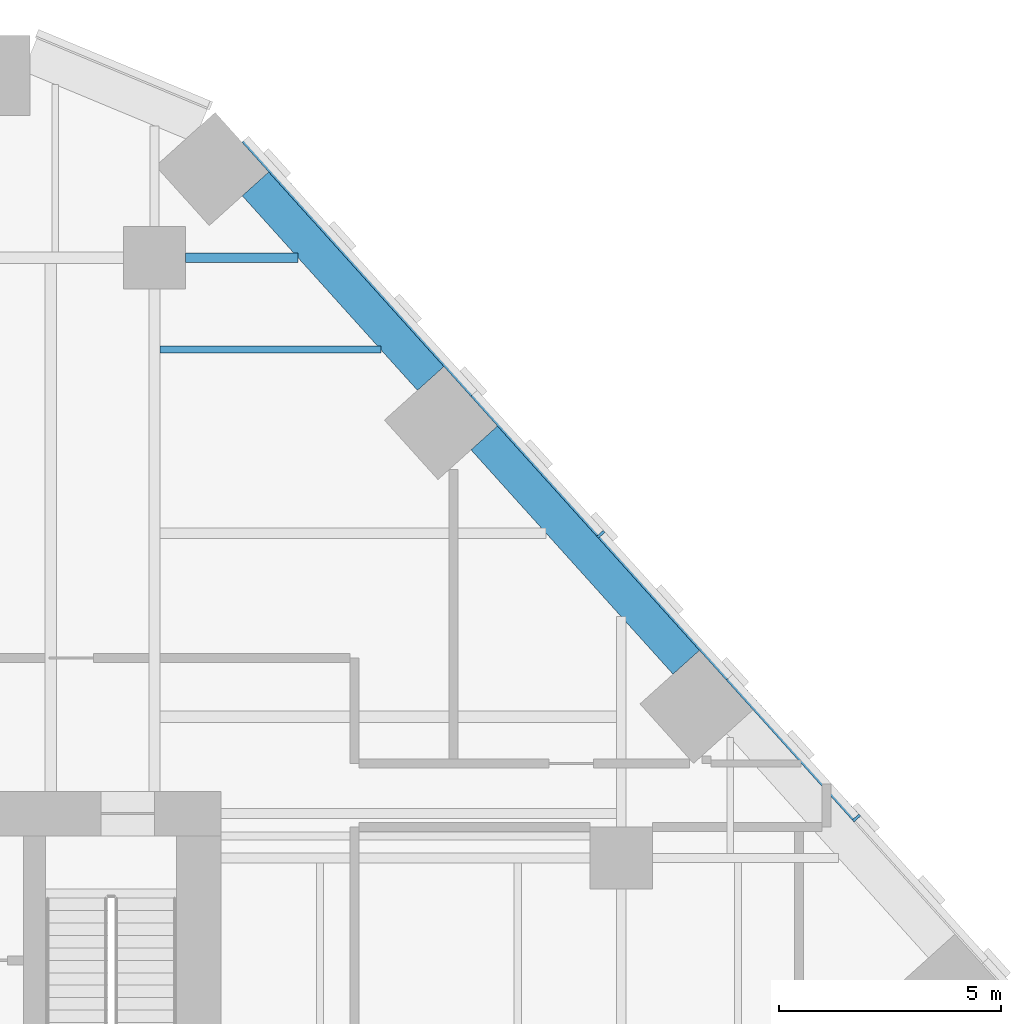
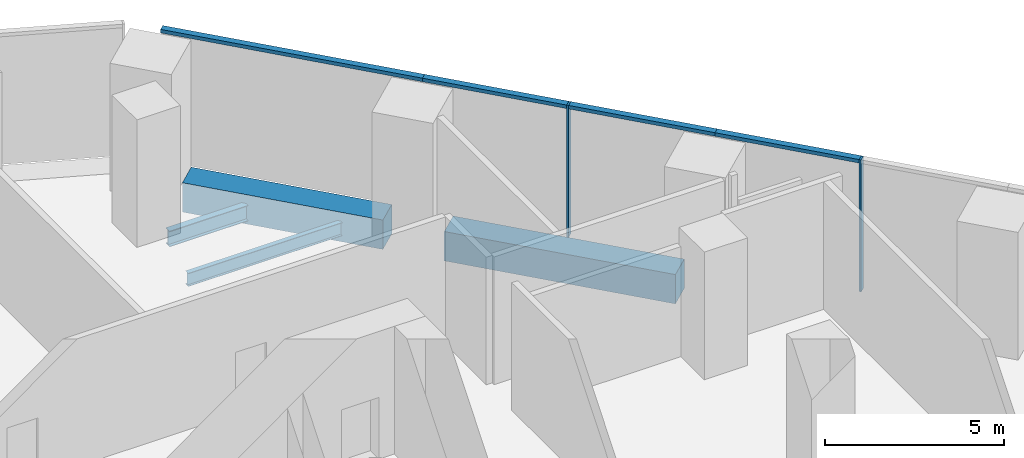
# One storey, part 10 of 19: 6 members, 4 beams, 1 element without a shape of its own.
"""IFC4 building model written with IfcOpenShell, lengths in metres."""

from ifc_helpers import new_model, si_unit, direction, frame, origin, origin_2d, place, context, subcontext, project, spatial, rectangle, i_section, extrude, material, layer, layer_set, material_profile, profile_set, type_object, element, aggregate, save


model = new_model("IFC4")

# Units and contexts
model_context = context("Model", 3, precision=1e-05, world=origin(), true_north=direction((0.0, 1.0)))
body_context = subcontext(model_context, "Body", "Model", "MODEL_VIEW")
ifc_project = project(units=[si_unit("LENGTHUNIT", "METRE"), si_unit("AREAUNIT", "SQUARE_METRE"), si_unit("VOLUMEUNIT", "CUBIC_METRE"), si_unit("PLANEANGLEUNIT", "RADIAN"), si_unit("MASSUNIT", "GRAM", prefix="KILO")], contexts=[model_context])

# Site, building, storey
site_placement = place(None, origin())
site = spatial("IfcSite", under=ifc_project, at=site_placement, CompositionType="ELEMENT")
building_placement = place(site_placement, origin())
building = spatial("IfcBuilding", under=site, at=building_placement, Name="Isthmus Gate Tower", CompositionType="ELEMENT")
storey_placement = place(building_placement, frame((0.0, 0.0, 76.14990234375)))
storey = spatial("IfcBuildingStorey", under=building, at=storey_placement, Name="L17", CompositionType="ELEMENT", Elevation=76.14990234375)

# Curtain wall, members
ifc_material_1 = material(Name="Aluminium, pale champagne anodised", Category="aluminium")
ifc_layer = layer(ifc_material_1, 0.199951171875)
ifc_layer_set = layer_set([ifc_layer], Name="CW-2 LOUVRE CURTAIN WALL 200 DEEP")
curtain_wall_type = type_object("IfcCurtainWallType", Name="CW-2 LOUVRE CURTAIN WALL 200 DEEP", PredefinedType="NOTDEFINED", material=ifc_layer_set)
curtain_wall_placement = place(storey_placement, origin())
curtain_wall = element("IfcCurtainWall", 1, at=curtain_wall_placement, inside=storey, type_object=curtain_wall_type, Name="CW-2 NE L17", PredefinedType="NOTDEFINED")
ifc_material_2 = material(Name="Aluminium, pale champagne anodised", Category="aluminium")
ifc_material_profile_1 = material_profile(ifc_material_2, rectangle(XDim=0.06005859375, YDim=0.199951171875, at=origin_2d()), Name="60x200")
ifc_profile_set_1 = profile_set([ifc_material_profile_1], Name="Aluminium, pale champagne anodised")
member_type_1 = type_object("IfcMemberType", Name="CW-2 MULLION 60 X 200", PredefinedType="MULLION", material=ifc_profile_set_1)
member_1_placement = place(storey_placement, frame((29.287841796875, 14.400146484375, 0.0), z_axis=(0.0, 0.0, 1.0), x_axis=(-0.669130606359, 0.743144825477, 0.0)))
member_1 = element("IfcMember", 2, at=member_1_placement, type_object=member_type_1, Name="CW-2 mullion", PredefinedType="MULLION", context=body_context, shape_type="SweptSolid", body=[
    extrude(rectangle(XDim=0.06005859375, YDim=0.199951171875, at=origin_2d()), origin(), (0.0, 0.0, 1.0), 4.5),
])
member_2_placement = place(storey_placement, frame((23.54052734375, 20.783447265625, 0.0), z_axis=(0.0, 0.0, 1.0), x_axis=(-0.669130606359, 0.743144825477, 0.0)))
member_2 = element("IfcMember", 3, at=member_2_placement, type_object=member_type_1, Name="CW-2 mullion", PredefinedType="MULLION", context=body_context, shape_type="SweptSolid", body=[
    extrude(rectangle(XDim=0.06005859375, YDim=0.199951171875, at=origin_2d()), origin(), (0.0, 0.0, 1.0), 4.5),
])
ifc_material_3 = material(Name="Aluminium, pale champagne anodised", Category="aluminium")
ifc_material_profile_2 = material_profile(ifc_material_3, rectangle(XDim=0.199951171875, YDim=0.1201171875, at=origin_2d()), Name="200x120")
ifc_profile_set_2 = profile_set([ifc_material_profile_2], Name="Aluminium, pale champagne anodised")
member_type_2 = type_object("IfcMemberType", Name="CW-2 TRANSOM 200 X 120", PredefinedType="USERDEFINED", material=ifc_profile_set_2)
member_3_placement = place(storey_placement, frame((29.267822265625, 14.422607421875, 4.440185546875), z_axis=(-0.669123979474, 0.743150792298, 0.0), x_axis=(-0.743150792298, -0.669123979474, 0.0)))
member_3 = element("IfcMember", 4, at=member_3_placement, type_object=member_type_2, Name="CW-2 transom", ObjectType="TRANSOM", PredefinedType="USERDEFINED", context=body_context, shape_type="SweptSolid", body=[
    extrude(rectangle(XDim=0.199951171875, YDim=0.1201171875, at=origin_2d()), origin(), (0.0, 0.0, 1.0), 4.234619140625),
])
member_4_placement = place(storey_placement, frame((26.434326171875, 17.569580078125, 4.440185546875), z_axis=(-0.669159437096, 0.743118865153, 0.0), x_axis=(-0.743118865153, -0.669159437096, 0.0)))
member_4 = element("IfcMember", 5, at=member_4_placement, type_object=member_type_2, Name="CW-2 transom", ObjectType="TRANSOM", PredefinedType="USERDEFINED", context=body_context, shape_type="SweptSolid", body=[
    extrude(rectangle(XDim=0.199951171875, YDim=0.1201171875, at=origin_2d()), origin(), (0.0, 0.0, 1.0), 4.294677734375),
])
member_5_placement = place(storey_placement, frame((23.520263671875, 20.8056640625, 4.440185546875), z_axis=(-0.669123979474, 0.743150792298, 0.0), x_axis=(-0.743150792298, -0.669123979474, 0.0)))
member_5 = element("IfcMember", 6, at=member_5_placement, type_object=member_type_2, Name="CW-2 transom", ObjectType="TRANSOM", PredefinedType="USERDEFINED", context=body_context, shape_type="SweptSolid", body=[
    extrude(rectangle(XDim=0.199951171875, YDim=0.1201171875, at=origin_2d()), origin(), (0.0, 0.0, 1.0), 4.234619140625),
])
member_6_placement = place(storey_placement, frame((20.686767578125, 23.95263671875, 4.440185546875), z_axis=(-0.669115577823, 0.743158356957, 0.0), x_axis=(-0.743158356957, -0.669115577823, 0.0)))
member_6 = element("IfcMember", 7, at=member_6_placement, type_object=member_type_2, Name="CW-2 transom", ObjectType="TRANSOM", PredefinedType="USERDEFINED", context=body_context, shape_type="SweptSolid", body=[
    extrude(rectangle(XDim=0.199951171875, YDim=0.1201171875, at=origin_2d()), origin(), (0.0, 0.0, 1.0), 7.689208984375),
])
aggregate(curtain_wall, [member_1, member_3, member_4, member_2, member_5, member_6])

# Beams
ifc_material_4 = material(Name="Concrete f'c 70 MPa", Category="concrete")
ifc_material_profile_3 = material_profile(ifc_material_4, rectangle(XDim=0.800048828125, YDim=1.0, at=origin_2d()), Name="RC 800X1000")
ifc_profile_set_3 = profile_set([ifc_material_profile_3], Name="Concrete f'c 70 MPa")
beam_type_1 = type_object("IfcBeamType", Name="RC SPANDREL 800 X 1000", PredefinedType="SPANDREL", material=ifc_profile_set_3)
beam_1_placement = place(storey_placement, frame((15.772216796875, 28.66357421875, -0.5), z_axis=(0.669141061586, -0.743135411415, 0.0), x_axis=(0.743135411415, 0.669141061586, 0.0)))
element("IfcBeam", 8, at=beam_1_placement, inside=storey, type_object=beam_type_1, Name="str-spandrel-L17-01", PredefinedType="SPANDREL", context=body_context, shape_type="SweptSolid", body=[
    extrude(rectangle(XDim=0.800048828125, YDim=1.0, at=origin_2d()), origin(), (0.0, 0.0, 1.0), 5.889404296875),
])
beam_2_placement = place(storey_placement, frame((20.91748046875, 22.94921875, -0.5), z_axis=(0.669135571547, -0.743140354772, 0.0), x_axis=(0.743140354772, 0.669135571547, 0.0)))
element("IfcBeam", 9, at=beam_2_placement, inside=storey, type_object=beam_type_1, Name="str-spandrel-L17-02", PredefinedType="SPANDREL", context=body_context, shape_type="SweptSolid", body=[
    extrude(rectangle(XDim=0.800048828125, YDim=1.0, at=origin_2d()), origin(), (0.0, 0.0, 1.0), 6.789306640625),
])
ifc_material_5 = material(Name="Structural steel ASTM A992 Gr 50", Category="steel")
ifc_material_profile_4 = material_profile(ifc_material_5, i_section(OverallWidth=0.15234375, OverallDepth=0.45068359375, WebThickness=0.0078125, FlangeThickness=0.010986328125, at=origin_2d()), Name="W18X35")
ifc_profile_set_4 = profile_set([ifc_material_profile_4], Name="Structural steel ASTM A992 Gr 50")
beam_type_2 = type_object("IfcBeamType", Name="STEEL FLOOR BEAM W18X35", PredefinedType="JOIST", material=ifc_profile_set_4)
beam_3_placement = place(storey_placement, frame((13.626953125, 24.935791015625, -0.525390625), z_axis=(1.0, 0.0, 0.0), x_axis=(0.0, 1.0, 0.0)))
element("IfcBeam", 10, at=beam_3_placement, inside=storey, type_object=beam_type_2, Name="str-beam-L17-26-02", PredefinedType="JOIST", context=body_context, shape_type="SweptSolid", body=[
    extrude(i_section(OverallWidth=0.15234375, OverallDepth=0.45068359375, WebThickness=0.0078125, FlangeThickness=0.010986328125, at=origin_2d()), origin(), (0.0, 0.0, 1.0), 4.963623046875),
])
ifc_material_6 = material(Name="Structural steel ASTM A992 Gr 50", Category="steel")
ifc_material_profile_5 = material_profile(ifc_material_6, i_section(OverallWidth=0.20947265625, OverallDepth=0.533447265625, WebThickness=0.009521484375, FlangeThickness=0.015869140625, at=origin_2d()), Name="W21X62")
ifc_profile_set_5 = profile_set([ifc_material_profile_5], Name="Structural steel ASTM A992 Gr 50")
beam_type_3 = type_object("IfcBeamType", Name="STEEL GIRDER W21X62", PredefinedType="BEAM", material=ifc_profile_set_5)
beam_4_placement = place(storey_placement, frame((14.199951171875, 27.0, -0.566650390625), z_axis=(1.0, 0.0, 0.0), x_axis=(0.0, 1.0, 0.0)))
element("IfcBeam", 11, at=beam_4_placement, inside=storey, type_object=beam_type_3, Name="str-girder-L17-19", PredefinedType="BEAM", context=body_context, shape_type="SweptSolid", body=[
    extrude(i_section(OverallWidth=0.20947265625, OverallDepth=0.533447265625, WebThickness=0.009521484375, FlangeThickness=0.015869140625, at=origin_2d()), origin(), (0.0, 0.0, 1.0), 2.531982421875),
])

save(model, "model.ifc")
